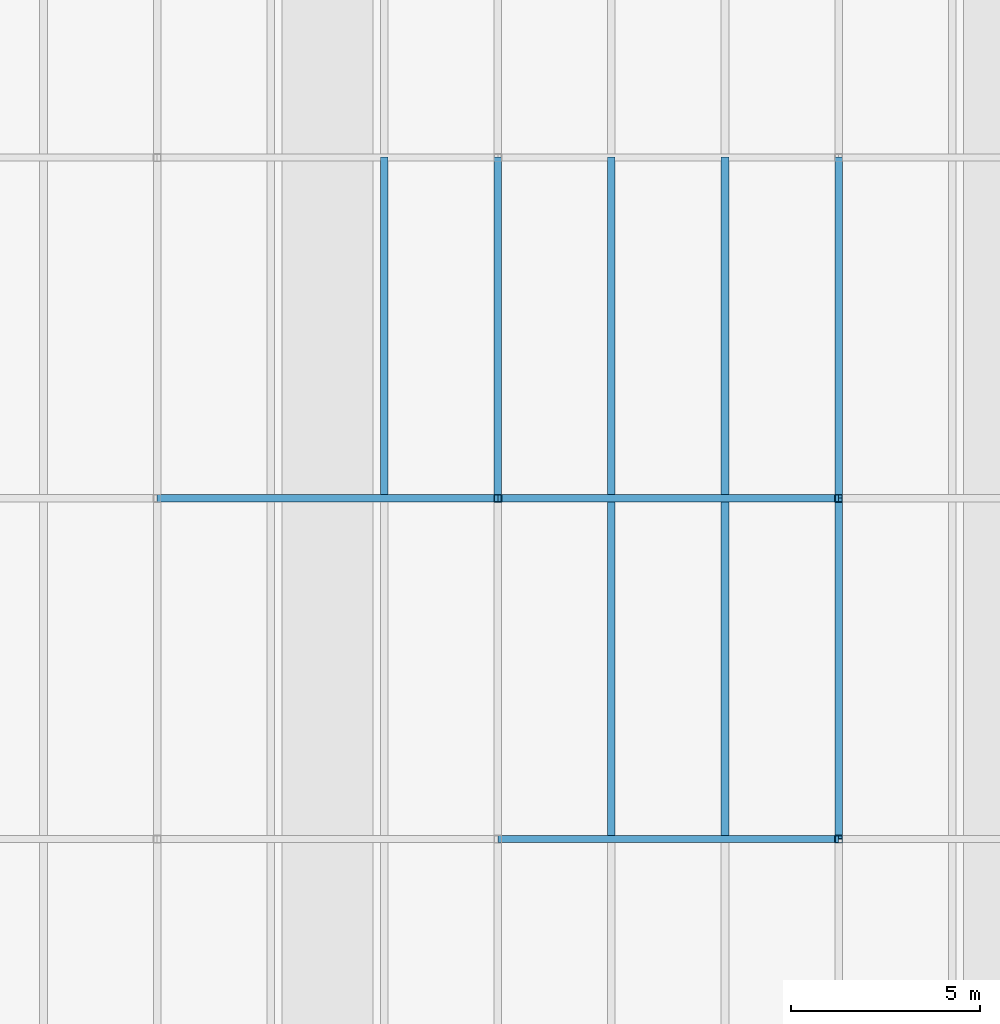
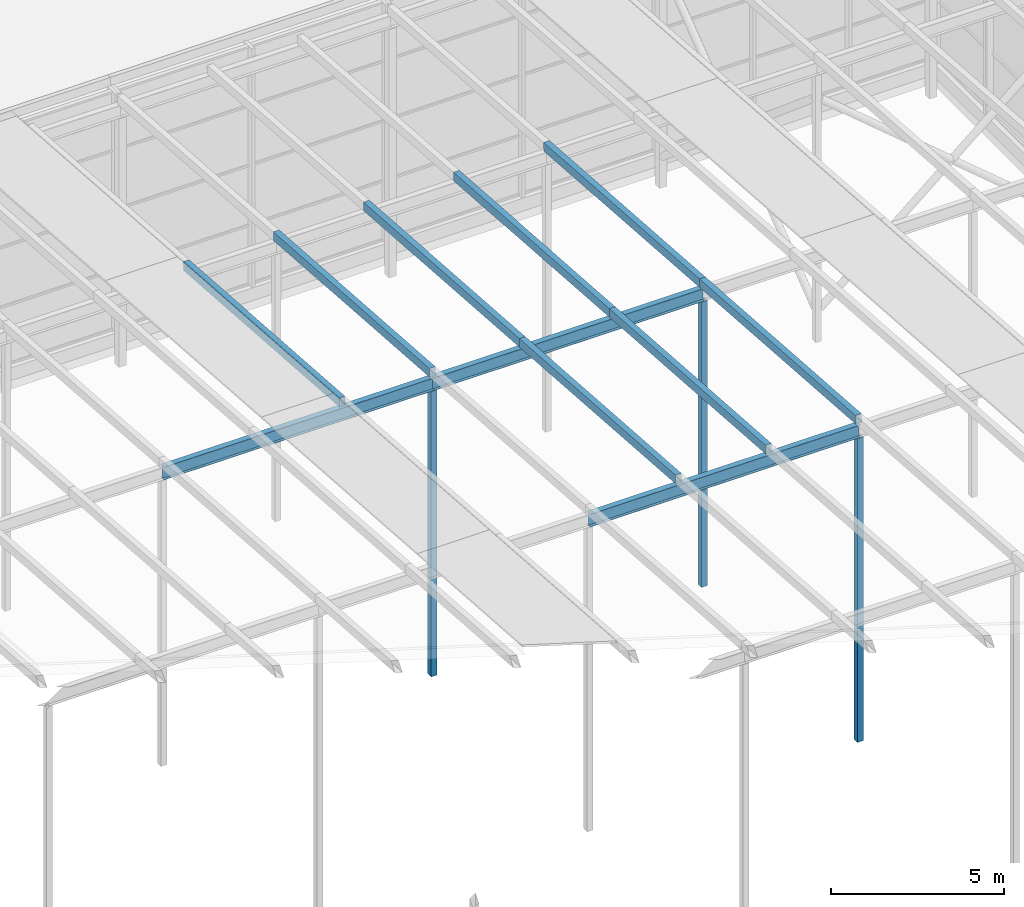
# One storey, part 42 of 84: 11 members, 3 beams.
"""IFC4 building model written with IfcOpenShell, lengths in metres."""

from ifc_helpers import new_model, si_unit, direction, frame, origin, origin_2d, place, context, subcontext, project, spatial, hollow_rectangle, i_section, extrude, material, material_profile, profile_set, type_object, element, save


model = new_model("IFC4")

# Units and contexts
model_context = context("Model", 3, precision=1e-05, world=origin(), true_north=direction((0.0, 1.0)))
body_context = subcontext(model_context, "Body", "Model", "MODEL_VIEW")
ifc_project = project(units=[si_unit("LENGTHUNIT", "METRE"), si_unit("AREAUNIT", "SQUARE_METRE"), si_unit("VOLUMEUNIT", "CUBIC_METRE"), si_unit("PLANEANGLEUNIT", "RADIAN"), si_unit("MASSUNIT", "GRAM", prefix="KILO")], contexts=[model_context])

# Site, building, storey
site_placement = place(None, origin())
site = spatial("IfcSite", under=ifc_project, at=site_placement, CompositionType="ELEMENT")
building_placement = place(site_placement, origin())
building = spatial("IfcBuilding", under=site, at=building_placement, Name="Silverbay Arena", CompositionType="ELEMENT")
storey_placement = place(building_placement, frame((0.0, 0.0, 47.10009765625)))
storey = spatial("IfcBuildingStorey", under=building, at=storey_placement, Name="ROOF", CompositionType="ELEMENT", Elevation=47.10009765625)

# Members
ifc_material_1 = material(Name="Steel S355", Category="steel")
ifc_material_profile_1 = material_profile(ifc_material_1, hollow_rectangle(XDim=0.199951171875, YDim=0.300048828125, WallThickness=0.00634765625, at=origin_2d()), Name="RHS 300x200x6.3")
ifc_profile_set_1 = profile_set([ifc_material_profile_1], Name="Steel S355")
member_type_1 = type_object("IfcMemberType", Name="Purlin RHS 300x200x6.3", PredefinedType="PURLIN", material=ifc_profile_set_1)
for number, where, z_axis, x_axis, name in (
    (1, (150.0, 117.0, 10.049560546875), (0.0, 0.997400967367, -0.07205074805), (-1.0, 0.0, 0.0), "ROOF PURLIN crown line 24 bay 11"),
    (2, (153.0, 117.0, 10.049560546875), (0.0, 0.997400967367, -0.07205074805), (-1.0, 0.0, 0.0), "ROOF PURLIN crown line 25 bay 11"),
    (3, (156.0, 108.0, 10.699462890625), (0.0, 0.997402911363, -0.072023832195), (-1.0, 0.0, 0.0), "ROOF PURLIN crown line 26 bay 10"),
    (4, (156.0, 117.0, 10.049560546875), (0.0, 0.997400967367, -0.07205074805), (-1.0, 0.0, 0.0), "ROOF PURLIN crown line 26 bay 11"),
    (5, (159.0, 108.0, 10.699462890625), (0.0, 0.997402911363, -0.072023832195), (-1.0, 0.0, 0.0), "ROOF PURLIN crown line 27 bay 10"),
    (6, (159.0, 117.0, 10.049560546875), (0.0, 0.997400967367, -0.07205074805), (-1.0, 0.0, 0.0), "ROOF PURLIN crown line 27 bay 11"),
    (7, (162.0, 108.0, 10.699462890625), (0.0, 0.997402911363, -0.072023832195), (-1.0, 0.0, 0.0), "ROOF PURLIN crown line 28 bay 10"),
    (8, (162.0, 117.0, 10.049560546875), (0.0, 0.997400967367, -0.07205074805), (-1.0, 0.0, 0.0), "ROOF PURLIN crown line 28 bay 11"),
):
    element("IfcMember", number, at=place(storey_placement, frame(where, z_axis=z_axis, x_axis=x_axis)), inside=storey, type_object=member_type_1, Name=name, PredefinedType="PURLIN", context=body_context, shape_type="SweptSolid", body=[
        extrude(hollow_rectangle(XDim=0.199951171875, YDim=0.300048828125, WallThickness=0.00634765625, at=origin_2d()), origin(), (0.0, 0.0, 1.0), 9.0234375),
    ])

# Beams
ifc_material_2 = material(Name="Steel S355", Category="steel")
ifc_material_profile_2 = material_profile(ifc_material_2, i_section(OverallWidth=0.18994140625, OverallDepth=0.453369140625, WebThickness=0.008544921875, FlangeThickness=0.0126953125, at=origin_2d()), Name="UB 457x191x67")
ifc_profile_set_2 = profile_set([ifc_material_profile_2], Name="Steel S355")
beam_type = type_object("IfcBeamType", Name="Ring beam UB 457x191x67", PredefinedType="BEAM", material=ifc_profile_set_2)
for number, where, z_axis, x_axis, name in (
    (9, (153.0, 108.0, 10.322509765625), (1.0, 0.0, 0.0), (0.0, 1.0, 0.0), "RING BEAM crown row 10 18-19"),
    (10, (144.0, 117.0, 9.67236328125), (1.0, 0.0, 0.0), (0.0, 1.0, 0.0), "RING BEAM crown row 11 17-18"),
    (11, (153.0, 117.0, 9.67236328125), (1.0, 0.0, 0.0), (0.0, 1.0, 0.0), "RING BEAM crown row 11 18-19"),
):
    element("IfcBeam", number, at=place(storey_placement, frame(where, z_axis=z_axis, x_axis=x_axis)), inside=storey, type_object=beam_type, Name=name, PredefinedType="BEAM", context=body_context, shape_type="SweptSolid", body=[
        extrude(i_section(OverallWidth=0.18994140625, OverallDepth=0.453369140625, WebThickness=0.008544921875, FlangeThickness=0.0126953125, at=origin_2d()), origin(), (0.0, 0.0, 1.0), 9.0),
    ])

# Members
ifc_material_3 = material(Name="Steel S355", Category="steel")
ifc_material_profile_3 = material_profile(ifc_material_3, hollow_rectangle(XDim=0.199951171875, YDim=0.199951171875, WallThickness=0.008056640625, at=origin_2d()), Name="SHS 200x200x8")
ifc_profile_set_3 = profile_set([ifc_material_profile_3], Name="Steel S355")
member_type_2 = type_object("IfcMemberType", Name="Roof post SHS 200x200x8", PredefinedType="POST", material=ifc_profile_set_3)
member_1_placement = place(storey_placement, frame((153.0, 117.0, -0.60009765625), z_axis=(0.0, 0.0, 1.0), x_axis=(1.0, 0.0, 0.0)))
element("IfcMember", 12, at=member_1_placement, inside=storey, type_object=member_type_2, Name="ROOF CROWN POST 18 row 11", PredefinedType="POST", context=body_context, shape_type="SweptSolid", body=[
    extrude(hollow_rectangle(XDim=0.199951171875, YDim=0.199951171875, WallThickness=0.008056640625, at=origin_2d()), origin(), (0.0, 0.0, 1.0), 10.0458984375),
])
member_2_placement = place(storey_placement, frame((162.0, 108.0, -0.60009765625), z_axis=(0.0, 0.0, 1.0), x_axis=(1.0, 0.0, 0.0)))
element("IfcMember", 13, at=member_2_placement, inside=storey, type_object=member_type_2, Name="ROOF CROWN POST 19 row 10", PredefinedType="POST", context=body_context, shape_type="SweptSolid", body=[
    extrude(hollow_rectangle(XDim=0.199951171875, YDim=0.199951171875, WallThickness=0.008056640625, at=origin_2d()), origin(), (0.0, 0.0, 1.0), 10.69580078125),
])
member_3_placement = place(storey_placement, frame((162.0, 117.0, -0.60009765625), z_axis=(0.0, 0.0, 1.0), x_axis=(1.0, 0.0, 0.0)))
element("IfcMember", 14, at=member_3_placement, inside=storey, type_object=member_type_2, Name="ROOF CROWN POST 19 row 11", PredefinedType="POST", context=body_context, shape_type="SweptSolid", body=[
    extrude(hollow_rectangle(XDim=0.199951171875, YDim=0.199951171875, WallThickness=0.008056640625, at=origin_2d()), origin(), (0.0, 0.0, 1.0), 10.0458984375),
])

save(model, "model.ifc")
